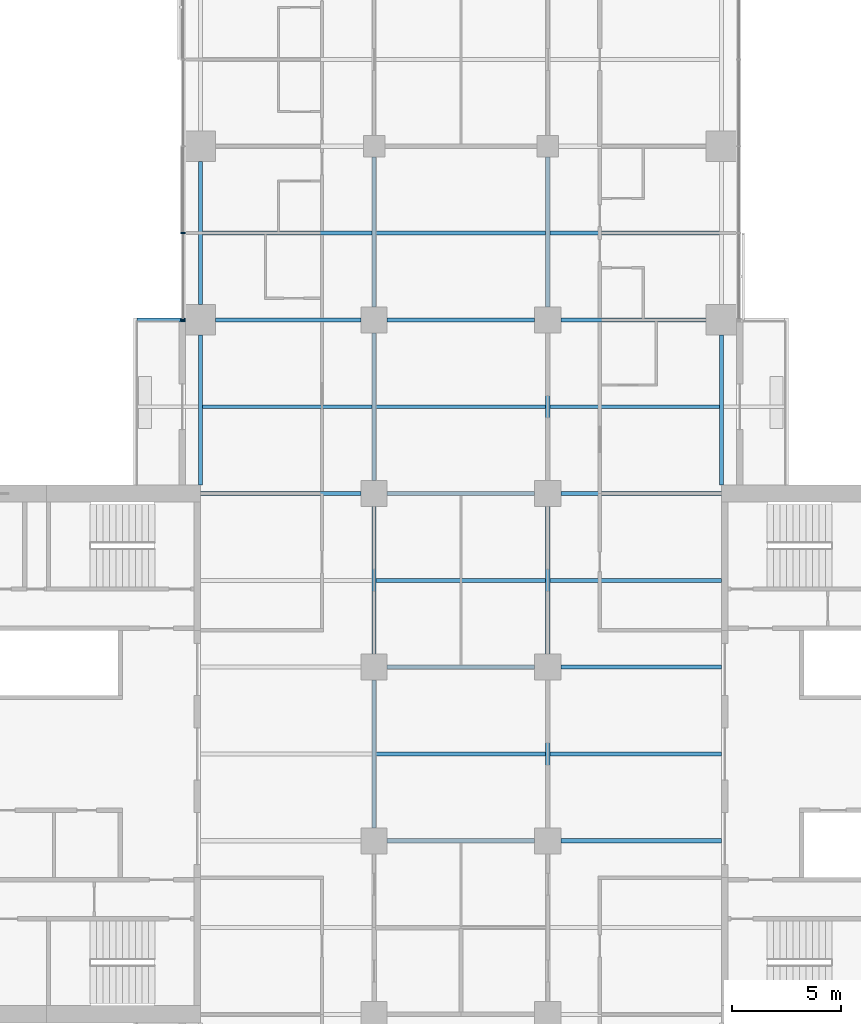
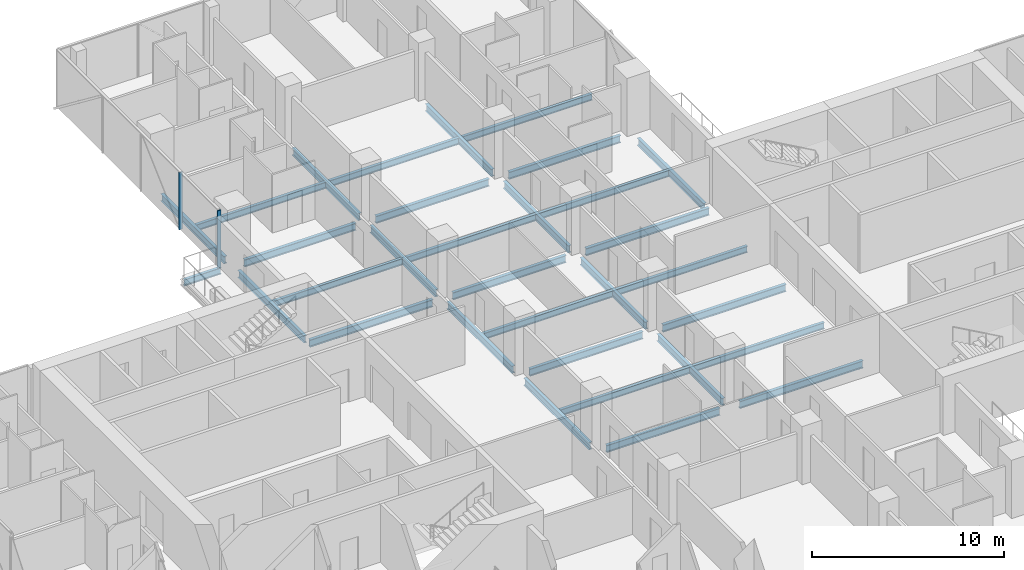
# One storey, part 9 of 27: 32 beams, 2 members, 1 element without a shape of its own.
"""IFC4 building model written with IfcOpenShell, lengths in metres."""

from ifc_helpers import new_model, si_unit, direction, frame, origin, origin_2d, place, context, subcontext, project, spatial, rectangle, i_section, extrude, material, material_profile, profile_set, type_object, element, aggregate, save


model = new_model("IFC4")

# Units and contexts
model_context = context("Model", 3, precision=1e-05, world=origin(), true_north=direction((0.0, 1.0)))
body_context = subcontext(model_context, "Body", "Model", "MODEL_VIEW")
ifc_project = project(units=[si_unit("LENGTHUNIT", "METRE"), si_unit("AREAUNIT", "SQUARE_METRE"), si_unit("VOLUMEUNIT", "CUBIC_METRE"), si_unit("PLANEANGLEUNIT", "RADIAN"), si_unit("MASSUNIT", "GRAM", prefix="KILO")], contexts=[model_context])

# Site, building, storey
site_placement = place(None, origin())
site = spatial("IfcSite", under=ifc_project, at=site_placement, CompositionType="ELEMENT")
building_placement = place(site_placement, origin())
building = spatial("IfcBuilding", under=site, at=building_placement, Name="Crosswind Convention Tower", CompositionType="ELEMENT")
storey_placement = place(building_placement, frame((0.0, 0.0, 72.0)))
storey = spatial("IfcBuildingStorey", under=building, at=storey_placement, Name="L12", CompositionType="ELEMENT", Elevation=72.0)

# Beams
ifc_material_1 = material(Name="Steel S355", Category="steel")
ifc_material_profile_1 = material_profile(ifc_material_1, i_section(OverallWidth=0.177734375, OverallDepth=0.406494140625, WebThickness=0.0078125, FlangeThickness=0.0126953125, FilletRadius=0.01025390625, at=origin_2d()), Name="UB 406x178x60")
ifc_profile_set_1 = profile_set([ifc_material_profile_1], Name="Steel S355")
beam_type_1 = type_object("IfcBeamType", Name="Balcony cantilever UB 406x178x60", PredefinedType="BEAM", material=ifc_profile_set_1)
beam_1_placement = place(storey_placement, frame((112.300048828125, 120.0, -0.483154296875), z_axis=(-1.0, 0.0, 0.0), x_axis=(0.0, -1.0, 0.0)))
element("IfcBeam", 1, at=beam_1_placement, inside=storey, type_object=beam_type_1, Name="B35 L12 balcony cantilever NW 5", PredefinedType="BEAM", context=body_context, shape_type="SweptSolid", body=[
    extrude(i_section(OverallWidth=0.177734375, OverallDepth=0.406494140625, WebThickness=0.0078125, FlangeThickness=0.0126953125, FilletRadius=0.01025390625, at=origin_2d()), origin(), (0.0, 0.0, 1.0), 2.214599609375),
])
ifc_material_profile_2 = material_profile(ifc_material_1, i_section(OverallWidth=0.1904296875, OverallDepth=0.457275390625, WebThickness=0.009033203125, FlangeThickness=0.014404296875, FilletRadius=0.01025390625, at=origin_2d()), Name="UB 457x191x75")
ifc_profile_set_2 = profile_set([ifc_material_profile_2], Name="Steel S355")
beam_type_2 = type_object("IfcBeamType", Name="Edge beam UB 457x191x75", PredefinedType="SPANDREL", material=ifc_profile_set_2)
beam_2_placement = place(storey_placement, frame((113.0, 112.39990234375, -0.508544921875), z_axis=(0.0, 1.0, 0.0), x_axis=(-1.0, 0.0, 0.0)))
element("IfcBeam", 2, at=beam_2_placement, inside=storey, type_object=beam_type_2, Name="B17 L12 edge beam 9", PredefinedType="SPANDREL", context=body_context, shape_type="SweptSolid", body=[
    extrude(i_section(OverallWidth=0.1904296875, OverallDepth=0.457275390625, WebThickness=0.009033203125, FlangeThickness=0.014404296875, FilletRadius=0.01025390625, at=origin_2d()), origin(), (0.0, 0.0, 1.0), 6.900146484375),
])
beam_3_placement = place(storey_placement, frame((113.0, 120.699951171875, -0.508544921875), z_axis=(0.0, 1.0, 0.0), x_axis=(-1.0, 0.0, 0.0)))
element("IfcBeam", 3, at=beam_3_placement, inside=storey, type_object=beam_type_2, Name="B17 L12 edge beam 10", PredefinedType="SPANDREL", context=body_context, shape_type="SweptSolid", body=[
    extrude(i_section(OverallWidth=0.1904296875, OverallDepth=0.457275390625, WebThickness=0.009033203125, FlangeThickness=0.014404296875, FilletRadius=0.01025390625, at=origin_2d()), origin(), (0.0, 0.0, 1.0), 6.60009765625),
])
beam_4_placement = place(storey_placement, frame((137.0, 112.39990234375, -0.508544921875), z_axis=(0.0, 1.0, 0.0), x_axis=(-1.0, 0.0, 0.0)))
element("IfcBeam", 4, at=beam_4_placement, inside=storey, type_object=beam_type_2, Name="B17 L12 edge beam 21", PredefinedType="SPANDREL", context=body_context, shape_type="SweptSolid", body=[
    extrude(i_section(OverallWidth=0.1904296875, OverallDepth=0.457275390625, WebThickness=0.009033203125, FlangeThickness=0.014404296875, FilletRadius=0.01025390625, at=origin_2d()), origin(), (0.0, 0.0, 1.0), 6.900146484375),
])
ifc_material_profile_3 = material_profile(ifc_material_1, i_section(OverallWidth=0.19140625, OverallDepth=0.460205078125, WebThickness=0.010009765625, FlangeThickness=0.01611328125, FilletRadius=0.01025390625, at=origin_2d()), Name="UB 457x191x82")
ifc_profile_set_3 = profile_set([ifc_material_profile_3], Name="Steel S355")
beam_type_3 = type_object("IfcBeamType", Name="Girder UB 457x191x82", PredefinedType="BEAM", material=ifc_profile_set_3)
beam_5_placement = place(storey_placement, frame((113.699951171875, 120.0, -0.510009765625), z_axis=(1.0, 0.0, 0.0), x_axis=(0.0, 1.0, 0.0)))
element("IfcBeam", 5, at=beam_5_placement, inside=storey, type_object=beam_type_3, Name="B3 L12 girder 3", PredefinedType="BEAM", context=body_context, shape_type="SweptSolid", body=[
    extrude(i_section(OverallWidth=0.19140625, OverallDepth=0.460205078125, WebThickness=0.010009765625, FlangeThickness=0.01611328125, FilletRadius=0.01025390625, at=origin_2d()), origin(), (0.0, 0.0, 1.0), 6.699951171875),
])
for number, where, z_axis, x_axis, name in (
    (6, (121.0, 96.60009765625, -0.510009765625), (0.0, 1.0, 0.0), (-1.0, 0.0, 0.0), "B3 L12 girder 9"),
    (7, (121.0, 104.60009765625, -0.510009765625), (0.0, 1.0, 0.0), (-1.0, 0.0, 0.0), "B3 L12 girder 10"),
    (8, (121.0, 112.60009765625, -0.510009765625), (0.0, 1.0, 0.0), (-1.0, 0.0, 0.0), "B3 L12 girder 11"),
):
    element("IfcBeam", number, at=place(storey_placement, frame(where, z_axis=z_axis, x_axis=x_axis)), inside=storey, type_object=beam_type_3, Name=name, PredefinedType="BEAM", context=body_context, shape_type="SweptSolid", body=[
        extrude(i_section(OverallWidth=0.19140625, OverallDepth=0.460205078125, WebThickness=0.010009765625, FlangeThickness=0.01611328125, FilletRadius=0.01025390625, at=origin_2d()), origin(), (0.0, 0.0, 1.0), 6.7998046875),
    ])
beam_6_placement = place(storey_placement, frame((121.0, 120.60009765625, -0.510009765625), z_axis=(0.0, 1.0, 0.0), x_axis=(-1.0, 0.0, 0.0)))
element("IfcBeam", 9, at=beam_6_placement, inside=storey, type_object=beam_type_3, Name="B3 L12 girder 12", PredefinedType="BEAM", context=body_context, shape_type="SweptSolid", body=[
    extrude(i_section(OverallWidth=0.19140625, OverallDepth=0.460205078125, WebThickness=0.010009765625, FlangeThickness=0.01611328125, FilletRadius=0.01025390625, at=origin_2d()), origin(), (0.0, 0.0, 1.0), 6.89990234375),
])
for number, where, z_axis, x_axis, name in (
    (10, (121.60009765625, 96.0, -0.510009765625), (1.0, 0.0, 0.0), (0.0, 1.0, 0.0), "B3 L12 girder 18"),
    (11, (121.60009765625, 104.0, -0.510009765625), (1.0, 0.0, 0.0), (0.0, 1.0, 0.0), "B3 L12 girder 19"),
    (12, (121.60009765625, 112.0, -0.510009765625), (1.0, 0.0, 0.0), (0.0, 1.0, 0.0), "B3 L12 girder 20"),
    (13, (121.60009765625, 120.0, -0.510009765625), (1.0, 0.0, 0.0), (0.0, 1.0, 0.0), "B3 L12 girder 21"),
    (14, (129.0, 96.60009765625, -0.510009765625), (0.0, 1.0, 0.0), (-1.0, 0.0, 0.0), "B3 L12 girder 26"),
    (15, (129.0, 104.60009765625, -0.510009765625), (0.0, 1.0, 0.0), (-1.0, 0.0, 0.0), "B3 L12 girder 27"),
    (16, (129.0, 112.60009765625, -0.510009765625), (0.0, 1.0, 0.0), (-1.0, 0.0, 0.0), "B3 L12 girder 28"),
):
    element("IfcBeam", number, at=place(storey_placement, frame(where, z_axis=z_axis, x_axis=x_axis)), inside=storey, type_object=beam_type_3, Name=name, PredefinedType="BEAM", context=body_context, shape_type="SweptSolid", body=[
        extrude(i_section(OverallWidth=0.19140625, OverallDepth=0.460205078125, WebThickness=0.010009765625, FlangeThickness=0.01611328125, FilletRadius=0.01025390625, at=origin_2d()), origin(), (0.0, 0.0, 1.0), 6.7998046875),
    ])
beam_7_placement = place(storey_placement, frame((129.0, 120.60009765625, -0.510009765625), z_axis=(0.0, 1.0, 0.0), x_axis=(-1.0, 0.0, 0.0)))
element("IfcBeam", 17, at=beam_7_placement, inside=storey, type_object=beam_type_3, Name="B3 L12 girder 29", PredefinedType="BEAM", context=body_context, shape_type="SweptSolid", body=[
    extrude(i_section(OverallWidth=0.19140625, OverallDepth=0.460205078125, WebThickness=0.010009765625, FlangeThickness=0.01611328125, FilletRadius=0.01025390625, at=origin_2d()), origin(), (0.0, 0.0, 1.0), 6.89990234375),
])
beam_8_placement = place(storey_placement, frame((129.60009765625, 120.0, -0.510009765625), z_axis=(1.0, 0.0, 0.0), x_axis=(0.0, 1.0, 0.0)))
element("IfcBeam", 18, at=beam_8_placement, inside=storey, type_object=beam_type_3, Name="B3 L12 girder 34", PredefinedType="BEAM", context=body_context, shape_type="SweptSolid", body=[
    extrude(i_section(OverallWidth=0.19140625, OverallDepth=0.460205078125, WebThickness=0.010009765625, FlangeThickness=0.01611328125, FilletRadius=0.01025390625, at=origin_2d()), origin(), (0.0, 0.0, 1.0), 6.699951171875),
])
ifc_material_profile_4 = material_profile(ifc_material_1, i_section(OverallWidth=0.19189453125, OverallDepth=0.463623046875, WebThickness=0.010498046875, FlangeThickness=0.017578125, FilletRadius=0.01025390625, at=origin_2d()), Name="UB 457x191x90")
ifc_profile_set_4 = profile_set([ifc_material_profile_4], Name="Steel S355")
beam_type_4 = type_object("IfcBeamType", Name="Girder at core wall UB 457x191x90", PredefinedType="BEAM", material=ifc_profile_set_4)
for number, where, z_axis, x_axis, name in (
    (19, (113.0, 112.0, -0.51171875), (1.0, 0.0, 0.0), (0.0, 1.0, 0.0), "B24 L12 girder at core wall 6"),
    (20, (129.60009765625, 96.0, -0.51171875), (1.0, 0.0, 0.0), (0.0, 1.0, 0.0), "B24 L12 girder at core wall 8"),
    (21, (129.60009765625, 104.0, -0.51171875), (1.0, 0.0, 0.0), (0.0, 1.0, 0.0), "B24 L12 girder at core wall 9"),
    (22, (129.60009765625, 112.0, -0.51171875), (1.0, 0.0, 0.0), (0.0, 1.0, 0.0), "B24 L12 girder at core wall 10"),
):
    element("IfcBeam", number, at=place(storey_placement, frame(where, z_axis=z_axis, x_axis=x_axis)), inside=storey, type_object=beam_type_4, Name=name, PredefinedType="BEAM", context=body_context, shape_type="SweptSolid", body=[
        extrude(i_section(OverallWidth=0.19189453125, OverallDepth=0.463623046875, WebThickness=0.010498046875, FlangeThickness=0.017578125, FilletRadius=0.01025390625, at=origin_2d()), origin(), (0.0, 0.0, 1.0), 7.39990234375),
    ])

# Curtain wall, members
ifc_material_2 = material(Name="Aluminium unitised curtain wall", Category="aluminium")
curtain_wall_type = type_object("IfcCurtainWallType", Name="HOTEL UNITISED WALL 200", PredefinedType="USERDEFINED", material=ifc_material_2)
curtain_wall_placement = place(storey_placement, origin())
curtain_wall = element("IfcCurtainWall", 23, at=curtain_wall_placement, inside=storey, type_object=curtain_wall_type, Name="CW2 L12 N-W 1", ObjectType="UNITISED", PredefinedType="USERDEFINED")
ifc_material_3 = material(Name="Aluminium mullion", Category="aluminium")
ifc_material_profile_5 = material_profile(ifc_material_3, rectangle(XDim=0.199951171875, YDim=0.06494140625, at=origin_2d()), Name="AL 200X65")
ifc_profile_set_5 = profile_set([ifc_material_profile_5], Name="Aluminium mullion")
member_type = type_object("IfcMemberType", Name="MULLION 65X200", PredefinedType="MULLION", material=ifc_profile_set_5)
member_1_placement = place(storey_placement, frame((112.199951171875, 124.0, -0.280029296875), z_axis=(0.0, 0.0, 1.0), x_axis=(-1.0, 0.0, 0.0)))
member_1 = element("IfcMember", 24, at=member_1_placement, type_object=member_type, Name="CW2 mullion 4", PredefinedType="MULLION", context=body_context, shape_type="SweptSolid", body=[
    extrude(rectangle(XDim=0.199951171875, YDim=0.06494140625, at=origin_2d()), origin(), (0.0, 0.0, 1.0), 3.635009765625),
])
member_2_placement = place(storey_placement, frame((112.199951171875, 120.0, -0.280029296875), z_axis=(0.0, 0.0, 1.0), x_axis=(-1.0, 0.0, 0.0)))
member_2 = element("IfcMember", 25, at=member_2_placement, type_object=member_type, Name="CW2 mullion 5", PredefinedType="MULLION", context=body_context, shape_type="SweptSolid", body=[
    extrude(rectangle(XDim=0.199951171875, YDim=0.06494140625, at=origin_2d()), origin(), (0.0, 0.0, 1.0), 3.635009765625),
])
aggregate(curtain_wall, [member_1, member_2])

# Beams
ifc_material_profile_6 = material_profile(ifc_material_1, i_section(OverallWidth=0.177734375, OverallDepth=0.406494140625, WebThickness=0.0078125, FlangeThickness=0.0126953125, FilletRadius=0.01025390625, at=origin_2d()), Name="UB 406x178x60")
ifc_profile_set_6 = profile_set([ifc_material_profile_6], Name="Steel S355")
beam_type_5 = type_object("IfcBeamType", Name="Secondary beam UB 406x178x60", PredefinedType="JOIST", material=ifc_profile_set_6)
for number, where, z_axis, x_axis, name in (
    (26, (113.09521484375, 116.0, -0.483154296875), (1.0, 0.0, 0.0), (0.0, 1.0, 0.0), "B10 L12 secondary beam 10"),
    (27, (113.09521484375, 124.0, -0.483154296875), (1.0, 0.0, 0.0), (0.0, 1.0, 0.0), "B10 L12 secondary beam 11"),
):
    element("IfcBeam", number, at=place(storey_placement, frame(where, z_axis=z_axis, x_axis=x_axis)), inside=storey, type_object=beam_type_5, Name=name, PredefinedType="JOIST", context=body_context, shape_type="SweptSolid", body=[
        extrude(i_section(OverallWidth=0.177734375, OverallDepth=0.406494140625, WebThickness=0.0078125, FlangeThickness=0.0126953125, FilletRadius=0.01025390625, at=origin_2d()), origin(), (0.0, 0.0, 1.0), 7.80908203125),
    ])
for number, where, z_axis, x_axis, name in (
    (28, (121.095703125, 100.0, -0.483154296875), (1.0, 0.0, 0.0), (0.0, 1.0, 0.0), "B10 L12 secondary beam 17"),
    (29, (121.095703125, 108.0, -0.483154296875), (1.0, 0.0, 0.0), (0.0, 1.0, 0.0), "B10 L12 secondary beam 18"),
    (30, (121.095703125, 116.0, -0.483154296875), (1.0, 0.0, 0.0), (0.0, 1.0, 0.0), "B10 L12 secondary beam 19"),
    (31, (121.095703125, 124.0, -0.483154296875), (1.0, 0.0, 0.0), (0.0, 1.0, 0.0), "B10 L12 secondary beam 20"),
):
    element("IfcBeam", number, at=place(storey_placement, frame(where, z_axis=z_axis, x_axis=x_axis)), inside=storey, type_object=beam_type_5, Name=name, PredefinedType="JOIST", context=body_context, shape_type="SweptSolid", body=[
        extrude(i_section(OverallWidth=0.177734375, OverallDepth=0.406494140625, WebThickness=0.0078125, FlangeThickness=0.0126953125, FilletRadius=0.01025390625, at=origin_2d()), origin(), (0.0, 0.0, 1.0), 7.80859375),
    ])
for number, where, z_axis, x_axis, name in (
    (32, (129.095703125, 100.0, -0.483154296875), (1.0, 0.0, 0.0), (0.0, 1.0, 0.0), "B10 L12 secondary beam 26"),
    (33, (129.095703125, 108.0, -0.483154296875), (1.0, 0.0, 0.0), (0.0, 1.0, 0.0), "B10 L12 secondary beam 27"),
):
    element("IfcBeam", number, at=place(storey_placement, frame(where, z_axis=z_axis, x_axis=x_axis)), inside=storey, type_object=beam_type_5, Name=name, PredefinedType="JOIST", context=body_context, shape_type="SweptSolid", body=[
        extrude(i_section(OverallWidth=0.177734375, OverallDepth=0.406494140625, WebThickness=0.0078125, FlangeThickness=0.0126953125, FilletRadius=0.01025390625, at=origin_2d()), origin(), (0.0, 0.0, 1.0), 7.904296875),
    ])
for number, where, z_axis, x_axis, name in (
    (34, (129.095703125, 116.0, -0.483154296875), (1.0, 0.0, 0.0), (0.0, 1.0, 0.0), "B10 L12 secondary beam 28"),
    (35, (129.095703125, 124.0, -0.483154296875), (1.0, 0.0, 0.0), (0.0, 1.0, 0.0), "B10 L12 secondary beam 29"),
):
    element("IfcBeam", number, at=place(storey_placement, frame(where, z_axis=z_axis, x_axis=x_axis)), inside=storey, type_object=beam_type_5, Name=name, PredefinedType="JOIST", context=body_context, shape_type="SweptSolid", body=[
        extrude(i_section(OverallWidth=0.177734375, OverallDepth=0.406494140625, WebThickness=0.0078125, FlangeThickness=0.0126953125, FilletRadius=0.01025390625, at=origin_2d()), origin(), (0.0, 0.0, 1.0), 7.80908203125),
    ])

save(model, "model.ifc")
